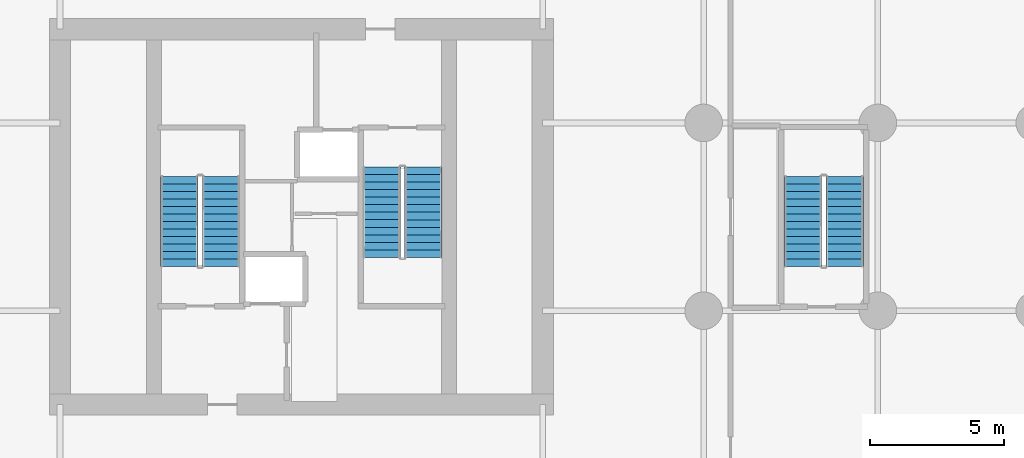
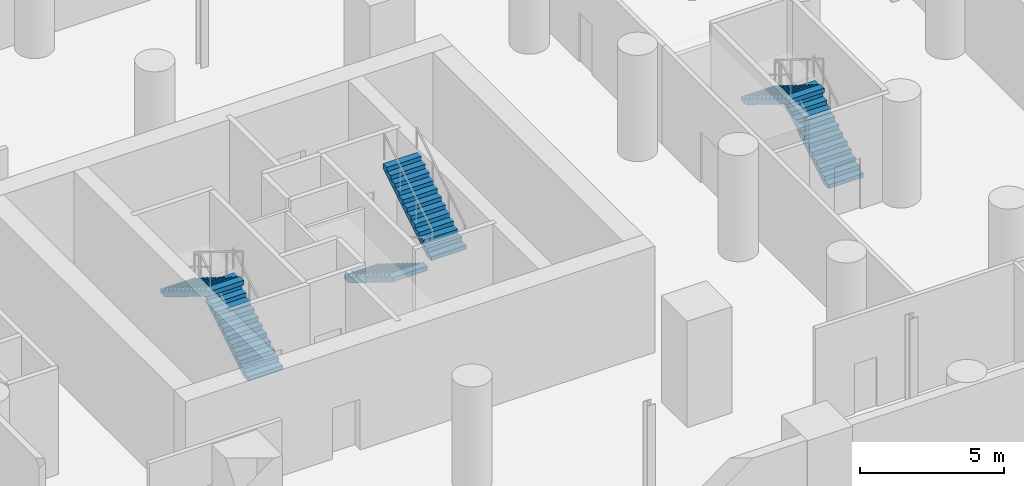
# One storey, part 7 of 8: 6 stair flights, 3 elements without a shape of their own.
"""IFC4 building model written with IfcOpenShell, lengths in metres."""

from ifc_helpers import new_model, si_unit, direction, frame, origin, place, context, subcontext, project, spatial, polyline, outline, extrude, material, type_object, element, aggregate, save


model = new_model("IFC4")

# Units and contexts
model_context = context("Model", 3, precision=1e-05, world=origin(), true_north=direction((0.0, 1.0)))
body_context = subcontext(model_context, "Body", "Model", "MODEL_VIEW")
ifc_project = project(units=[si_unit("LENGTHUNIT", "METRE"), si_unit("AREAUNIT", "SQUARE_METRE"), si_unit("VOLUMEUNIT", "CUBIC_METRE"), si_unit("PLANEANGLEUNIT", "RADIAN"), si_unit("MASSUNIT", "GRAM", prefix="KILO")], contexts=[model_context])

# Site, building, storey
site_placement = place(None, origin())
site = spatial("IfcSite", under=ifc_project, at=site_placement, CompositionType="ELEMENT")
building_placement = place(site_placement, origin())
building = spatial("IfcBuilding", under=site, at=building_placement, Name="Veldorim Arch Residences", CompositionType="ELEMENT")
storey_placement = place(building_placement, frame((0.0, 0.0, -4.5)))
storey = spatial("IfcBuildingStorey", under=building, at=storey_placement, Name="B1", CompositionType="ELEMENT", Elevation=-4.5)

# Stair, stair flights
ifc_material_1 = material(Name="Concrete C40/50", Category="concrete")
stair_type = type_object("IfcStairType", Name="Reinforced Concrete Dogleg Exit Staircase", PredefinedType="HALF_TURN_STAIR", material=ifc_material_1)
stair_1_placement = place(storey_placement, origin())
stair_1 = element("IfcStair", 1, at=stair_1_placement, inside=storey, type_object=stair_type, Name="B1 Exit Staircase ST-1", PredefinedType="HALF_TURN_STAIR")
ifc_material_2 = material(Name="Concrete C40/50", Category="concrete")
stair_flight_type = type_object("IfcStairFlightType", Name="Reinforced Concrete Stair Flight 1400", PredefinedType="STRAIGHT", material=ifc_material_2)
stair_flight_1_placement = place(storey_placement, frame((29.010009765625, 22.14990234375, 0.0), z_axis=(0.0, 0.0, 1.0), x_axis=(0.0, 1.0, 0.0)))
stair_flight_1 = element("IfcStairFlight", 2, at=stair_flight_1_placement, type_object=stair_flight_type, Name="ST-1 flight 1", NumberOfRisers=13, NumberOfTreads=12, PredefinedType="STRAIGHT", RiserHeight=0.173076923, TreadLength=0.28, context=body_context, shape_type="SweptSolid", body=[
    extrude(outline(polyline([(0.0, 0.0), (0.0, 0.173095703125), (0.280029296875, 0.173095703125), (0.280029296875, 0.34619140625), (0.56005859375, 0.34619140625), (0.56005859375, 0.519287109375), (0.840087890625, 0.519287109375), (0.840087890625, 0.6923828125), (1.1201171875, 0.6923828125), (1.1201171875, 0.865478515625), (1.39990234375, 0.865478515625), (1.39990234375, 1.03857421875), (1.679931640625, 1.03857421875), (1.679931640625, 1.21142578125), (1.9599609375, 1.21142578125), (1.9599609375, 1.384521484375), (2.239990234375, 1.384521484375), (2.239990234375, 1.5576171875), (2.52001953125, 1.5576171875), (2.52001953125, 1.730712890625), (2.800048828125, 1.730712890625), (2.800048828125, 1.90380859375), (3.080078125, 1.90380859375), (3.080078125, 2.076904296875), (3.360107421875, 2.076904296875), (3.360107421875, 2.25), (3.360107421875, 1.888916015625), (0.30419921875, 0.0), (0.0, 0.0)])), frame((0.0, 0.699951171875, 0.0), z_axis=(0.0, -1.0, 0.0), x_axis=(1.0, 0.0, 0.0)), (0.0, 0.0, 1.0), 1.39990234375),
])
stair_flight_2_placement = place(storey_placement, frame((27.449951171875, 25.510009765625, 2.25), z_axis=(0.0, 0.0, 1.0), x_axis=(0.0, -1.0, 0.0)))
stair_flight_2 = element("IfcStairFlight", 3, at=stair_flight_2_placement, type_object=stair_flight_type, Name="ST-1 flight 2", NumberOfRisers=13, NumberOfTreads=12, PredefinedType="STRAIGHT", RiserHeight=0.173076923, TreadLength=0.28, context=body_context, shape_type="SweptSolid", body=[
    extrude(outline(polyline([(0.0, 0.0), (0.0, 0.173095703125), (0.280029296875, 0.173095703125), (0.280029296875, 0.34619140625), (0.56005859375, 0.34619140625), (0.56005859375, 0.519287109375), (0.840087890625, 0.519287109375), (0.840087890625, 0.6923828125), (1.1201171875, 0.6923828125), (1.1201171875, 0.865478515625), (1.39990234375, 0.865478515625), (1.39990234375, 1.03857421875), (1.679931640625, 1.03857421875), (1.679931640625, 1.21142578125), (1.9599609375, 1.21142578125), (1.9599609375, 1.384521484375), (2.239990234375, 1.384521484375), (2.239990234375, 1.5576171875), (2.52001953125, 1.5576171875), (2.52001953125, 1.730712890625), (2.800048828125, 1.730712890625), (2.800048828125, 1.90380859375), (3.080078125, 1.90380859375), (3.080078125, 2.076904296875), (3.360107421875, 2.076904296875), (3.360107421875, 2.25), (3.360107421875, 1.888916015625), (0.30419921875, 0.0), (0.0, 0.0)])), frame((0.0, 0.699951171875, 0.0), z_axis=(0.0, -1.0, 0.0), x_axis=(1.0, 0.0, 0.0)), (0.0, 0.0, 1.0), 1.39990234375),
])
aggregate(stair_1, [stair_flight_1, stair_flight_2])

stair_2_placement = place(storey_placement, origin())
stair_2 = element("IfcStair", 4, at=stair_2_placement, inside=storey, type_object=stair_type, Name="B1 Exit Staircase ST-2", PredefinedType="HALF_TURN_STAIR")
stair_flight_3_placement = place(storey_placement, frame((34.989990234375, 25.85009765625, 0.0), z_axis=(0.0, 0.0, 1.0), x_axis=(0.0, -1.0, 0.0)))
stair_flight_3 = element("IfcStairFlight", 5, at=stair_flight_3_placement, type_object=stair_flight_type, Name="ST-2 flight 1", NumberOfRisers=13, NumberOfTreads=12, PredefinedType="STRAIGHT", RiserHeight=0.173076923, TreadLength=0.28, context=body_context, shape_type="SweptSolid", body=[
    extrude(outline(polyline([(0.0, 0.0), (0.0, 0.173095703125), (0.280029296875, 0.173095703125), (0.280029296875, 0.34619140625), (0.56005859375, 0.34619140625), (0.56005859375, 0.519287109375), (0.840087890625, 0.519287109375), (0.840087890625, 0.6923828125), (1.1201171875, 0.6923828125), (1.1201171875, 0.865478515625), (1.39990234375, 0.865478515625), (1.39990234375, 1.03857421875), (1.679931640625, 1.03857421875), (1.679931640625, 1.21142578125), (1.9599609375, 1.21142578125), (1.9599609375, 1.384521484375), (2.239990234375, 1.384521484375), (2.239990234375, 1.5576171875), (2.52001953125, 1.5576171875), (2.52001953125, 1.730712890625), (2.800048828125, 1.730712890625), (2.800048828125, 1.90380859375), (3.080078125, 1.90380859375), (3.080078125, 2.076904296875), (3.360107421875, 2.076904296875), (3.360107421875, 2.25), (3.360107421875, 1.888916015625), (0.30419921875, 0.0), (0.0, 0.0)])), frame((0.0, 0.699951171875, 0.0), z_axis=(0.0, -1.0, 0.0), x_axis=(1.0, 0.0, 0.0)), (0.0, 0.0, 1.0), 1.39990234375),
])
stair_flight_4_placement = place(storey_placement, frame((36.550048828125, 22.489990234375, 2.25), z_axis=(0.0, 0.0, 1.0), x_axis=(0.0, 1.0, 0.0)))
stair_flight_4 = element("IfcStairFlight", 6, at=stair_flight_4_placement, type_object=stair_flight_type, Name="ST-2 flight 2", NumberOfRisers=13, NumberOfTreads=12, PredefinedType="STRAIGHT", RiserHeight=0.173076923, TreadLength=0.28, context=body_context, shape_type="SweptSolid", body=[
    extrude(outline(polyline([(0.0, 0.0), (0.0, 0.173095703125), (0.280029296875, 0.173095703125), (0.280029296875, 0.34619140625), (0.56005859375, 0.34619140625), (0.56005859375, 0.519287109375), (0.840087890625, 0.519287109375), (0.840087890625, 0.6923828125), (1.1201171875, 0.6923828125), (1.1201171875, 0.865478515625), (1.39990234375, 0.865478515625), (1.39990234375, 1.03857421875), (1.679931640625, 1.03857421875), (1.679931640625, 1.21142578125), (1.9599609375, 1.21142578125), (1.9599609375, 1.384521484375), (2.239990234375, 1.384521484375), (2.239990234375, 1.5576171875), (2.52001953125, 1.5576171875), (2.52001953125, 1.730712890625), (2.800048828125, 1.730712890625), (2.800048828125, 1.90380859375), (3.080078125, 1.90380859375), (3.080078125, 2.076904296875), (3.360107421875, 2.076904296875), (3.360107421875, 2.25), (3.360107421875, 1.888916015625), (0.30419921875, 0.0), (0.0, 0.0)])), frame((0.0, 0.699951171875, 0.0), z_axis=(0.0, -1.0, 0.0), x_axis=(1.0, 0.0, 0.0)), (0.0, 0.0, 1.0), 1.39990234375),
])
aggregate(stair_2, [stair_flight_3, stair_flight_4])

stair_3_placement = place(storey_placement, origin())
stair_3 = element("IfcStair", 7, at=stair_3_placement, inside=storey, type_object=stair_type, Name="B1 Exit Staircase ST-3", PredefinedType="HALF_TURN_STAIR")
stair_flight_5_placement = place(storey_placement, frame((52.260009765625, 22.14990234375, 0.0), z_axis=(0.0, 0.0, 1.0), x_axis=(0.0, 1.0, 0.0)))
stair_flight_5 = element("IfcStairFlight", 8, at=stair_flight_5_placement, type_object=stair_flight_type, Name="ST-3 flight 1", NumberOfRisers=13, NumberOfTreads=12, PredefinedType="STRAIGHT", RiserHeight=0.173076923, TreadLength=0.28, context=body_context, shape_type="SweptSolid", body=[
    extrude(outline(polyline([(0.0, 0.0), (0.0, 0.173095703125), (0.280029296875, 0.173095703125), (0.280029296875, 0.34619140625), (0.56005859375, 0.34619140625), (0.56005859375, 0.519287109375), (0.840087890625, 0.519287109375), (0.840087890625, 0.6923828125), (1.1201171875, 0.6923828125), (1.1201171875, 0.865478515625), (1.39990234375, 0.865478515625), (1.39990234375, 1.03857421875), (1.679931640625, 1.03857421875), (1.679931640625, 1.21142578125), (1.9599609375, 1.21142578125), (1.9599609375, 1.384521484375), (2.239990234375, 1.384521484375), (2.239990234375, 1.5576171875), (2.52001953125, 1.5576171875), (2.52001953125, 1.730712890625), (2.800048828125, 1.730712890625), (2.800048828125, 1.90380859375), (3.080078125, 1.90380859375), (3.080078125, 2.076904296875), (3.360107421875, 2.076904296875), (3.360107421875, 2.25), (3.360107421875, 1.888916015625), (0.30419921875, 0.0), (0.0, 0.0)])), frame((0.0, 0.699951171875, 0.0), z_axis=(0.0, -1.0, 0.0), x_axis=(1.0, 0.0, 0.0)), (0.0, 0.0, 1.0), 1.39990234375),
])
stair_flight_6_placement = place(storey_placement, frame((50.699951171875, 25.510009765625, 2.25), z_axis=(0.0, 0.0, 1.0), x_axis=(0.0, -1.0, 0.0)))
stair_flight_6 = element("IfcStairFlight", 9, at=stair_flight_6_placement, type_object=stair_flight_type, Name="ST-3 flight 2", NumberOfRisers=13, NumberOfTreads=12, PredefinedType="STRAIGHT", RiserHeight=0.173076923, TreadLength=0.28, context=body_context, shape_type="SweptSolid", body=[
    extrude(outline(polyline([(0.0, 0.0), (0.0, 0.173095703125), (0.280029296875, 0.173095703125), (0.280029296875, 0.34619140625), (0.56005859375, 0.34619140625), (0.56005859375, 0.519287109375), (0.840087890625, 0.519287109375), (0.840087890625, 0.6923828125), (1.1201171875, 0.6923828125), (1.1201171875, 0.865478515625), (1.39990234375, 0.865478515625), (1.39990234375, 1.03857421875), (1.679931640625, 1.03857421875), (1.679931640625, 1.21142578125), (1.9599609375, 1.21142578125), (1.9599609375, 1.384521484375), (2.239990234375, 1.384521484375), (2.239990234375, 1.5576171875), (2.52001953125, 1.5576171875), (2.52001953125, 1.730712890625), (2.800048828125, 1.730712890625), (2.800048828125, 1.90380859375), (3.080078125, 1.90380859375), (3.080078125, 2.076904296875), (3.360107421875, 2.076904296875), (3.360107421875, 2.25), (3.360107421875, 1.888916015625), (0.30419921875, 0.0), (0.0, 0.0)])), frame((0.0, 0.699951171875, 0.0), z_axis=(0.0, -1.0, 0.0), x_axis=(1.0, 0.0, 0.0)), (0.0, 0.0, 1.0), 1.39990234375),
])
aggregate(stair_3, [stair_flight_5, stair_flight_6])

save(model, "model.ifc")
